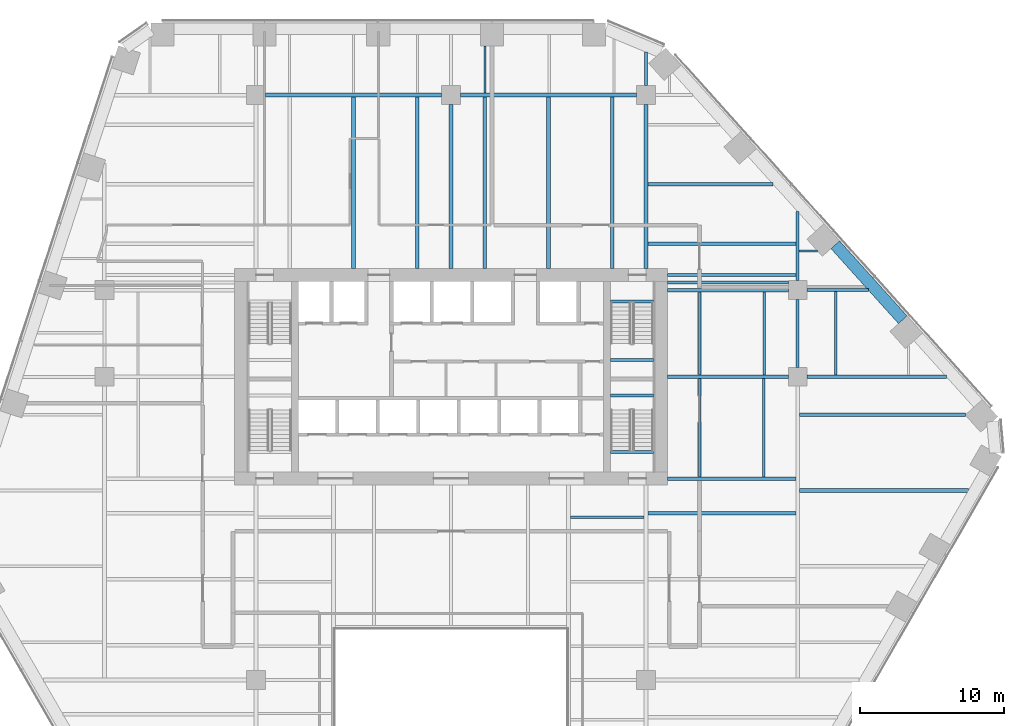
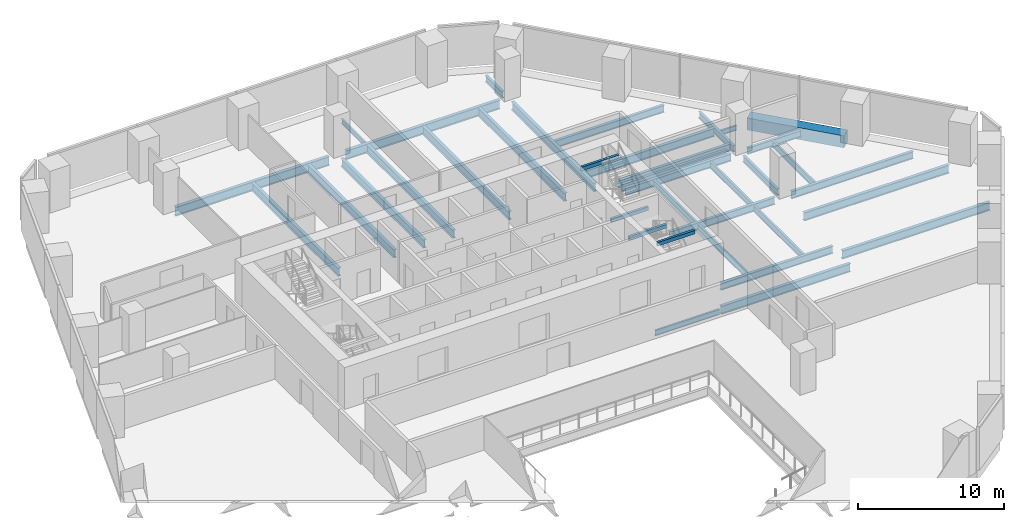
# One storey, part 9 of 19: 37 beams.
"""IFC4 building model written with IfcOpenShell, lengths in metres."""

from ifc_helpers import new_model, si_unit, direction, frame, origin, origin_2d, place, context, subcontext, project, spatial, rectangle, i_section, extrude, material, material_profile, profile_set, type_object, element, save


model = new_model("IFC4")

# Units and contexts
model_context = context("Model", 3, precision=1e-05, world=origin(), true_north=direction((0.0, 1.0)))
body_context = subcontext(model_context, "Body", "Model", "MODEL_VIEW")
ifc_project = project(units=[si_unit("LENGTHUNIT", "METRE"), si_unit("AREAUNIT", "SQUARE_METRE"), si_unit("VOLUMEUNIT", "CUBIC_METRE"), si_unit("PLANEANGLEUNIT", "RADIAN"), si_unit("MASSUNIT", "GRAM", prefix="KILO")], contexts=[model_context])

# Site, building, storey
site_placement = place(None, origin())
site = spatial("IfcSite", under=ifc_project, at=site_placement, CompositionType="ELEMENT")
building_placement = place(site_placement, origin())
building = spatial("IfcBuilding", under=site, at=building_placement, Name="Isthmus Gate Tower", CompositionType="ELEMENT")
storey_placement = place(building_placement, frame((0.0, 0.0, 95.25)))
storey = spatial("IfcBuildingStorey", under=building, at=storey_placement, Name="L22", CompositionType="ELEMENT", Elevation=95.25)

# Beams
ifc_material_1 = material(Name="Concrete f'c 70 MPa", Category="concrete")
ifc_material_profile_1 = material_profile(ifc_material_1, rectangle(XDim=0.800048828125, YDim=1.0, at=origin_2d()), Name="RC 800X1000")
ifc_profile_set_1 = profile_set([ifc_material_profile_1], Name="Concrete f'c 70 MPa")
beam_type_1 = type_object("IfcBeamType", Name="RC SPANDREL 800 X 1000", PredefinedType="SPANDREL", material=ifc_profile_set_1)
beam_1_placement = place(storey_placement, frame((26.597900390625, 16.640380859375, -0.5), z_axis=(0.669128753615, -0.743146493691, 0.0), x_axis=(0.743146493691, 0.669128753615, 0.0)))
element("IfcBeam", 1, at=beam_1_placement, inside=storey, type_object=beam_type_1, Name="str-spandrel-L22-03", PredefinedType="SPANDREL", context=body_context, shape_type="SweptSolid", body=[
    extrude(rectangle(XDim=0.800048828125, YDim=1.0, at=origin_2d()), origin(), (0.0, 0.0, 1.0), 6.9892578125),
])
ifc_material_2 = material(Name="Concrete f'c 40 MPa", Category="concrete")
ifc_material_profile_2 = material_profile(ifc_material_2, rectangle(XDim=0.199951171875, YDim=0.300048828125, at=origin_2d()), Name="STAIR LANDING BEAM RC 200 X 300")
ifc_profile_set_2 = profile_set([ifc_material_profile_2], Name="Concrete f'c 40 MPa")
beam_type_2 = type_object("IfcBeamType", Name="STAIR LANDING BEAM RC 200 X 300", PredefinedType="BEAM", material=ifc_profile_set_2)
for number, where, z_axis, x_axis, name in (
    (2, (11.050048828125, 8.64990234375, 1.47509765625), (1.0, 0.0, 0.0), (0.0, 1.0, 0.0), "L22 ST2 landing beam 1"),
    (3, (11.050048828125, 12.7001953125, 3.35009765625), (1.0, 0.0, 0.0), (0.0, 1.0, 0.0), "L22 ST2 floor-edge seat beam"),
    (4, (11.050048828125, 6.199951171875, 1.47509765625), (1.0, 0.0, 0.0), (0.0, 1.0, 0.0), "L22 ST8 landing beam 1"),
    (5, (11.050048828125, 2.2998046875, 3.35009765625), (1.0, 0.0, 0.0), (0.0, 1.0, 0.0), "L22 ST8 floor-edge seat beam"),
):
    element("IfcBeam", number, at=place(storey_placement, frame(where, z_axis=z_axis, x_axis=x_axis)), inside=storey, type_object=beam_type_2, Name=name, PredefinedType="BEAM", context=body_context, shape_type="SweptSolid", body=[
        extrude(rectangle(XDim=0.199951171875, YDim=0.300048828125, at=origin_2d()), origin(), (0.0, 0.0, 1.0), 2.949951171875),
    ])
ifc_material_3 = material(Name="Structural steel ASTM A992 Gr 50", Category="steel")
ifc_material_profile_3 = material_profile(ifc_material_3, i_section(OverallWidth=0.1396484375, OverallDepth=0.4033203125, WebThickness=0.00634765625, FlangeThickness=0.010986328125, at=origin_2d()), Name="W16X31")
ifc_profile_set_3 = profile_set([ifc_material_profile_3], Name="Structural steel ASTM A992 Gr 50")
beam_type_3 = type_object("IfcBeamType", Name="STEEL FLOOR BEAM W16X31", PredefinedType="JOIST", material=ifc_profile_set_3)
beam_2_placement = place(storey_placement, frame((2.33740234375, 27.1318359375, -0.3515625), z_axis=(0.0, 1.0, 0.0), x_axis=(-1.0, 0.0, 0.0)))
element("IfcBeam", 6, at=beam_2_placement, inside=storey, type_object=beam_type_3, Name="str-beam-L22-20-00", PredefinedType="JOIST", context=body_context, shape_type="SweptSolid", body=[
    extrude(i_section(OverallWidth=0.1396484375, OverallDepth=0.4033203125, WebThickness=0.00634765625, FlangeThickness=0.010986328125, at=origin_2d()), origin(), (0.0, 0.0, 1.0), 3.26806640625),
])
beam_3_placement = place(storey_placement, frame((24.104736328125, 16.208251953125, -0.3515625), z_axis=(1.0, 0.0, 0.0), x_axis=(0.0, 1.0, 0.0)))
element("IfcBeam", 7, at=beam_3_placement, inside=storey, type_object=beam_type_3, Name="str-beam-L22-32-00", PredefinedType="JOIST", context=body_context, shape_type="SweptSolid", body=[
    extrude(i_section(OverallWidth=0.1396484375, OverallDepth=0.4033203125, WebThickness=0.00634765625, FlangeThickness=0.010986328125, at=origin_2d()), origin(), (0.0, 0.0, 1.0), 1.267578125),
])
ifc_material_4 = material(Name="Structural steel ASTM A992 Gr 50", Category="steel")
ifc_material_profile_4 = material_profile(ifc_material_4, i_section(OverallWidth=0.15234375, OverallDepth=0.45068359375, WebThickness=0.0078125, FlangeThickness=0.010986328125, at=origin_2d()), Name="W18X35")
ifc_profile_set_4 = profile_set([ifc_material_profile_4], Name="Structural steel ASTM A992 Gr 50")
beam_type_4 = type_object("IfcBeamType", Name="STEEL FLOOR BEAM W18X35", PredefinedType="JOIST", material=ifc_profile_set_4)
beam_4_placement = place(storey_placement, frame((8.263427734375, -2.232421875, -0.37548828125), z_axis=(1.0, 0.0, 0.0), x_axis=(0.0, 1.0, 0.0)))
element("IfcBeam", 8, at=beam_4_placement, inside=storey, type_object=beam_type_4, Name="str-beam-L22-24-02", PredefinedType="JOIST", context=body_context, shape_type="SweptSolid", body=[
    extrude(i_section(OverallWidth=0.15234375, OverallDepth=0.45068359375, WebThickness=0.0078125, FlangeThickness=0.010986328125, at=origin_2d()), origin(), (0.0, 0.0, 1.0), 5.104736328125),
])
ifc_material_5 = material(Name="Structural steel ASTM A992 Gr 50", Category="steel")
ifc_material_profile_5 = material_profile(ifc_material_5, i_section(OverallWidth=0.1650390625, OverallDepth=0.52392578125, WebThickness=0.009521484375, FlangeThickness=0.010986328125, at=origin_2d()), Name="W21X44")
ifc_profile_set_5 = profile_set([ifc_material_profile_5], Name="Structural steel ASTM A992 Gr 50")
beam_type_5 = type_object("IfcBeamType", Name="STEEL FLOOR BEAM W21X44", PredefinedType="JOIST", material=ifc_profile_set_5)
for number, where, z_axis, x_axis, name in (
    (9, (17.223876953125, 7.6142578125, -0.411865234375), (0.0, 1.0, 0.0), (-1.0, 0.0, 0.0), "str-beam-L22-30-00"),
    (10, (21.67138671875, 7.6142578125, -0.411865234375), (0.0, 1.0, 0.0), (-1.0, 0.0, 0.0), "str-beam-L22-30-01"),
):
    element("IfcBeam", number, at=place(storey_placement, frame(where, z_axis=z_axis, x_axis=x_axis)), inside=storey, type_object=beam_type_5, Name=name, PredefinedType="JOIST", context=body_context, shape_type="SweptSolid", body=[
        extrude(i_section(OverallWidth=0.1650390625, OverallDepth=0.52392578125, WebThickness=0.009521484375, FlangeThickness=0.010986328125, at=origin_2d()), origin(), (0.0, 0.0, 1.0), 5.771484375),
    ])
for number, where, z_axis, x_axis, name in (
    (11, (17.216552734375, 0.564208984375, -0.411865234375), (0.0, 1.0, 0.0), (-1.0, 0.0, 0.0), "str-beam-L22-31-00"),
    (12, (21.64990234375, 0.564208984375, -0.411865234375), (0.0, 1.0, 0.0), (-1.0, 0.0, 0.0), "str-beam-L22-31-01"),
):
    element("IfcBeam", number, at=place(storey_placement, frame(where, z_axis=z_axis, x_axis=x_axis)), inside=storey, type_object=beam_type_5, Name=name, PredefinedType="JOIST", context=body_context, shape_type="SweptSolid", body=[
        extrude(i_section(OverallWidth=0.1650390625, OverallDepth=0.52392578125, WebThickness=0.009521484375, FlangeThickness=0.010986328125, at=origin_2d()), origin(), (0.0, 0.0, 1.0), 6.821533203125),
    ])
beam_5_placement = place(storey_placement, frame((26.625244140625, 7.6142578125, -0.411865234375), z_axis=(0.0, 1.0, 0.0), x_axis=(-1.0, 0.0, 0.0)))
element("IfcBeam", 13, at=beam_5_placement, inside=storey, type_object=beam_type_5, Name="str-beam-L22-33-00", PredefinedType="JOIST", context=body_context, shape_type="SweptSolid", body=[
    extrude(i_section(OverallWidth=0.1650390625, OverallDepth=0.52392578125, WebThickness=0.009521484375, FlangeThickness=0.010986328125, at=origin_2d()), origin(), (0.0, 0.0, 1.0), 5.781005859375),
])
ifc_material_6 = material(Name="Structural steel ASTM A992 Gr 50", Category="steel")
ifc_material_profile_6 = material_profile(ifc_material_6, i_section(OverallWidth=0.177734375, OverallDepth=0.60009765625, WebThickness=0.009521484375, FlangeThickness=0.0126953125, at=origin_2d()), Name="W24X55")
ifc_profile_set_6 = profile_set([ifc_material_profile_6], Name="Structural steel ASTM A992 Gr 50")
beam_type_6 = type_object("IfcBeamType", Name="STEEL FLOOR BEAM W24X55", PredefinedType="JOIST", material=ifc_profile_set_6)
beam_6_placement = place(storey_placement, frame((15.0, 14.02490234375, -0.449951171875), z_axis=(1.0, 0.0, 0.0), x_axis=(0.0, 1.0, 0.0)))
element("IfcBeam", 14, at=beam_6_placement, inside=storey, type_object=beam_type_6, Name="str-beam-L22-29-00", PredefinedType="JOIST", context=body_context, shape_type="SweptSolid", body=[
    extrude(i_section(OverallWidth=0.177734375, OverallDepth=0.60009765625, WebThickness=0.009521484375, FlangeThickness=0.0126953125, at=origin_2d()), origin(), (0.0, 0.0, 1.0), 8.35009765625),
])
ifc_material_7 = material(Name="Structural steel ASTM A992 Gr 50", Category="steel")
ifc_material_profile_7 = material_profile(ifc_material_7, i_section(OverallWidth=0.228515625, OverallDepth=0.603271484375, WebThickness=0.010986328125, FlangeThickness=0.014404296875, at=origin_2d()), Name="W24X68")
ifc_profile_set_7 = profile_set([ifc_material_profile_7], Name="Structural steel ASTM A992 Gr 50")
beam_type_7 = type_object("IfcBeamType", Name="STEEL FLOOR BEAM W24X68", PredefinedType="JOIST", material=ifc_profile_set_7)
beam_7_placement = place(storey_placement, frame((13.626953125, 20.83203125, -0.45166015625), z_axis=(1.0, 0.0, 0.0), x_axis=(0.0, 1.0, 0.0)))
element("IfcBeam", 15, at=beam_7_placement, inside=storey, type_object=beam_type_7, Name="str-beam-L22-26-01", PredefinedType="JOIST", context=body_context, shape_type="SweptSolid", body=[
    extrude(i_section(OverallWidth=0.228515625, OverallDepth=0.603271484375, WebThickness=0.010986328125, FlangeThickness=0.014404296875, at=origin_2d()), origin(), (0.0, 0.0, 1.0), 8.658447265625),
])
ifc_material_8 = material(Name="Structural steel ASTM A992 Gr 50", Category="steel")
ifc_material_profile_8 = material_profile(ifc_material_8, i_section(OverallWidth=0.25390625, OverallDepth=0.679443359375, WebThickness=0.010986328125, FlangeThickness=0.015869140625, at=origin_2d()), Name="W27X84")
ifc_profile_set_8 = profile_set([ifc_material_profile_8], Name="Structural steel ASTM A992 Gr 50")
beam_type_8 = type_object("IfcBeamType", Name="STEEL FLOOR BEAM W27X84", PredefinedType="JOIST", material=ifc_profile_set_8)
for number, where, z_axis, x_axis, name in (
    (16, (-6.75, 15.0, -0.48974609375), (0.0, 1.0, 0.0), (-1.0, 0.0, 0.0), "str-beam-L22-14-01"),
    (17, (-2.334716796875, 15.0, -0.48974609375), (0.0, 1.0, 0.0), (-1.0, 0.0, 0.0), "str-beam-L22-14-02"),
    (18, (2.334716796875, 15.0, -0.48974609375), (0.0, 1.0, 0.0), (-1.0, 0.0, 0.0), "str-beam-L22-21-00"),
    (19, (6.75, 15.0, -0.48974609375), (0.0, 1.0, 0.0), (-1.0, 0.0, 0.0), "str-beam-L22-21-01"),
    (20, (11.165283203125, 15.0, -0.48974609375), (0.0, 1.0, 0.0), (-1.0, 0.0, 0.0), "str-beam-L22-21-02"),
):
    element("IfcBeam", number, at=place(storey_placement, frame(where, z_axis=z_axis, x_axis=x_axis)), inside=storey, type_object=beam_type_8, Name=name, PredefinedType="JOIST", context=body_context, shape_type="SweptSolid", body=[
        extrude(i_section(OverallWidth=0.25390625, OverallDepth=0.679443359375, WebThickness=0.010986328125, FlangeThickness=0.015869140625, at=origin_2d()), origin(), (0.0, 0.0, 1.0), 11.8681640625),
    ])
beam_8_placement = place(storey_placement, frame((13.626953125, 16.72021484375, -0.48974609375), z_axis=(1.0, 0.0, 0.0), x_axis=(0.0, 1.0, 0.0)))
element("IfcBeam", 21, at=beam_8_placement, inside=storey, type_object=beam_type_8, Name="str-beam-L22-26-00", PredefinedType="JOIST", context=body_context, shape_type="SweptSolid", body=[
    extrude(i_section(OverallWidth=0.25390625, OverallDepth=0.679443359375, WebThickness=0.010986328125, FlangeThickness=0.015869140625, at=origin_2d()), origin(), (0.0, 0.0, 1.0), 10.268310546875),
])
beam_9_placement = place(storey_placement, frame((13.6318359375, -1.947998046875, -0.48974609375), z_axis=(1.0, 0.0, 0.0), x_axis=(0.0, 1.0, 0.0)))
element("IfcBeam", 22, at=beam_9_placement, inside=storey, type_object=beam_type_8, Name="str-beam-L22-27-02", PredefinedType="JOIST", context=body_context, shape_type="SweptSolid", body=[
    extrude(i_section(OverallWidth=0.25390625, OverallDepth=0.679443359375, WebThickness=0.010986328125, FlangeThickness=0.015869140625, at=origin_2d()), origin(), (0.0, 0.0, 1.0), 10.23486328125),
])
beam_10_placement = place(storey_placement, frame((24.13330078125, -0.375, -0.48974609375), z_axis=(1.0, 0.0, 0.0), x_axis=(0.0, 1.0, 0.0)))
element("IfcBeam", 23, at=beam_10_placement, inside=storey, type_object=beam_type_8, Name="str-beam-L22-34-02", PredefinedType="JOIST", context=body_context, shape_type="SweptSolid", body=[
    extrude(i_section(OverallWidth=0.25390625, OverallDepth=0.679443359375, WebThickness=0.010986328125, FlangeThickness=0.015869140625, at=origin_2d()), origin(), (0.0, 0.0, 1.0), 11.6767578125),
])
beam_11_placement = place(storey_placement, frame((24.13330078125, 4.875, -0.48974609375), z_axis=(1.0, 0.0, 0.0), x_axis=(0.0, 1.0, 0.0)))
element("IfcBeam", 24, at=beam_11_placement, inside=storey, type_object=beam_type_8, Name="str-beam-L22-34-03", PredefinedType="JOIST", context=body_context, shape_type="SweptSolid", body=[
    extrude(i_section(OverallWidth=0.25390625, OverallDepth=0.679443359375, WebThickness=0.010986328125, FlangeThickness=0.015869140625, at=origin_2d()), origin(), (0.0, 0.0, 1.0), 11.484130859375),
])
ifc_material_9 = material(Name="Structural steel ASTM A992 Gr 50", Category="steel")
ifc_material_profile_9 = material_profile(ifc_material_9, i_section(OverallWidth=0.20947265625, OverallDepth=0.533447265625, WebThickness=0.009521484375, FlangeThickness=0.015869140625, at=origin_2d()), Name="W21X62")
ifc_profile_set_9 = profile_set([ifc_material_profile_9], Name="Structural steel ASTM A992 Gr 50")
beam_type_9 = type_object("IfcBeamType", Name="STEEL GIRDER W21X62", PredefinedType="BEAM", material=ifc_profile_set_9)
beam_12_placement = place(storey_placement, frame((24.64990234375, 13.5, -0.416748046875), z_axis=(1.0, 0.0, 0.0), x_axis=(0.0, 1.0, 0.0)))
element("IfcBeam", 25, at=beam_12_placement, inside=storey, type_object=beam_type_9, Name="str-girder-L22-16", PredefinedType="BEAM", context=body_context, shape_type="SweptSolid", body=[
    extrude(i_section(OverallWidth=0.20947265625, OverallDepth=0.533447265625, WebThickness=0.009521484375, FlangeThickness=0.015869140625, at=origin_2d()), origin(), (0.0, 0.0, 1.0), 4.2373046875),
])
beam_13_placement = place(storey_placement, frame((13.5, 27.64990234375, -0.416748046875), z_axis=(0.0, 1.0, 0.0), x_axis=(-1.0, 0.0, 0.0)))
element("IfcBeam", 26, at=beam_13_placement, inside=storey, type_object=beam_type_9, Name="str-girder-L22-35", PredefinedType="BEAM", context=body_context, shape_type="SweptSolid", body=[
    extrude(i_section(OverallWidth=0.20947265625, OverallDepth=0.533447265625, WebThickness=0.009521484375, FlangeThickness=0.015869140625, at=origin_2d()), origin(), (0.0, 0.0, 1.0), 2.320068359375),
])
beam_14_placement = place(storey_placement, frame((24.0, 8.14990234375, -0.416748046875), z_axis=(0.0, 1.0, 0.0), x_axis=(-1.0, 0.0, 0.0)))
element("IfcBeam", 27, at=beam_14_placement, inside=storey, type_object=beam_type_9, Name="str-girder-L22-37", PredefinedType="BEAM", context=body_context, shape_type="SweptSolid", body=[
    extrude(i_section(OverallWidth=0.20947265625, OverallDepth=0.533447265625, WebThickness=0.009521484375, FlangeThickness=0.015869140625, at=origin_2d()), origin(), (0.0, 0.0, 1.0), 4.7001953125),
])
beam_15_placement = place(storey_placement, frame((24.0, 14.14990234375, -0.416748046875), z_axis=(0.0, 1.0, 0.0), x_axis=(-1.0, 0.0, 0.0)))
element("IfcBeam", 28, at=beam_15_placement, inside=storey, type_object=beam_type_9, Name="str-girder-L22-38", PredefinedType="BEAM", context=body_context, shape_type="SweptSolid", body=[
    extrude(i_section(OverallWidth=0.20947265625, OverallDepth=0.533447265625, WebThickness=0.009521484375, FlangeThickness=0.015869140625, at=origin_2d()), origin(), (0.0, 0.0, 1.0), 4.778076171875),
])
ifc_material_10 = material(Name="Structural steel ASTM A992 Gr 50", Category="steel")
ifc_material_profile_10 = material_profile(ifc_material_10, i_section(OverallWidth=0.228515625, OverallDepth=0.6064453125, WebThickness=0.010986328125, FlangeThickness=0.017578125, at=origin_2d()), Name="W24X76")
ifc_profile_set_10 = profile_set([ifc_material_profile_10], Name="Structural steel ASTM A992 Gr 50")
beam_type_10 = type_object("IfcBeamType", Name="STEEL GIRDER W24X76", PredefinedType="BEAM", material=ifc_profile_set_10)
beam_16_placement = place(storey_placement, frame((15.0, 7.5, -0.453125), z_axis=(1.0, 0.0, 0.0), x_axis=(0.0, 1.0, 0.0)))
element("IfcBeam", 29, at=beam_16_placement, inside=storey, type_object=beam_type_10, Name="str-girder-L22-11", PredefinedType="BEAM", context=body_context, shape_type="SweptSolid", body=[
    extrude(i_section(OverallWidth=0.228515625, OverallDepth=0.6064453125, WebThickness=0.010986328125, FlangeThickness=0.017578125, at=origin_2d()), origin(), (0.0, 0.0, 1.0), 8.35009765625),
])
beam_17_placement = place(storey_placement, frame((24.64990234375, 7.5, -0.453125), z_axis=(1.0, 0.0, 0.0), x_axis=(0.0, 1.0, 0.0)))
element("IfcBeam", 30, at=beam_17_placement, inside=storey, type_object=beam_type_10, Name="str-girder-L22-12", PredefinedType="BEAM", context=body_context, shape_type="SweptSolid", body=[
    extrude(i_section(OverallWidth=0.228515625, OverallDepth=0.6064453125, WebThickness=0.010986328125, FlangeThickness=0.017578125, at=origin_2d()), origin(), (0.0, 0.0, 1.0), 9.639892578125),
])
beam_18_placement = place(storey_placement, frame((15.0, 13.5, -0.453125), z_axis=(1.0, 0.0, 0.0), x_axis=(0.0, 1.0, 0.0)))
element("IfcBeam", 31, at=beam_18_placement, inside=storey, type_object=beam_type_10, Name="str-girder-L22-15", PredefinedType="BEAM", context=body_context, shape_type="SweptSolid", body=[
    extrude(i_section(OverallWidth=0.228515625, OverallDepth=0.6064453125, WebThickness=0.010986328125, FlangeThickness=0.017578125, at=origin_2d()), origin(), (0.0, 0.0, 1.0), 8.35009765625),
])
beam_19_placement = place(storey_placement, frame((15.0, 0.449951171875, -0.453125), z_axis=(1.0, 0.0, 0.0), x_axis=(0.0, 1.0, 0.0)))
element("IfcBeam", 32, at=beam_19_placement, inside=storey, type_object=beam_type_10, Name="str-girder-L22-40", PredefinedType="BEAM", context=body_context, shape_type="SweptSolid", body=[
    extrude(i_section(OverallWidth=0.228515625, OverallDepth=0.6064453125, WebThickness=0.010986328125, FlangeThickness=0.017578125, at=origin_2d()), origin(), (0.0, 0.0, 1.0), 8.86669921875),
])
beam_20_placement = place(storey_placement, frame((15.0, 14.550048828125, -0.453125), z_axis=(1.0, 0.0, 0.0), x_axis=(0.0, 1.0, 0.0)))
element("IfcBeam", 33, at=beam_20_placement, inside=storey, type_object=beam_type_10, Name="str-girder-L22-42", PredefinedType="BEAM", context=body_context, shape_type="SweptSolid", body=[
    extrude(i_section(OverallWidth=0.228515625, OverallDepth=0.6064453125, WebThickness=0.010986328125, FlangeThickness=0.017578125, at=origin_2d()), origin(), (0.0, 0.0, 1.0), 8.895263671875),
])
ifc_material_11 = material(Name="Structural steel ASTM A992 Gr 50", Category="steel")
ifc_material_profile_11 = material_profile(ifc_material_11, i_section(OverallWidth=0.25390625, OverallDepth=0.679443359375, WebThickness=0.010986328125, FlangeThickness=0.015869140625, at=origin_2d()), Name="W27X84")
ifc_profile_set_11 = profile_set([ifc_material_profile_11], Name="Structural steel ASTM A992 Gr 50")
beam_type_11 = type_object("IfcBeamType", Name="STEEL GIRDER W27X84", PredefinedType="BEAM", material=ifc_profile_set_11)
for number, where, z_axis, x_axis, name in (
    (34, (0.0, 15.0, -0.48974609375), (0.0, 1.0, 0.0), (-1.0, 0.0, 0.0), "str-girder-L22-30"),
    (35, (13.5, 15.0, -0.48974609375), (0.0, 1.0, 0.0), (-1.0, 0.0, 0.0), "str-girder-L22-34"),
):
    element("IfcBeam", number, at=place(storey_placement, frame(where, z_axis=z_axis, x_axis=x_axis)), inside=storey, type_object=beam_type_11, Name=name, PredefinedType="BEAM", context=body_context, shape_type="SweptSolid", body=[
        extrude(i_section(OverallWidth=0.25390625, OverallDepth=0.679443359375, WebThickness=0.010986328125, FlangeThickness=0.015869140625, at=origin_2d()), origin(), (0.0, 0.0, 1.0), 11.35009765625),
    ])
ifc_material_12 = material(Name="Structural steel ASTM A992 Gr 50", Category="steel")
ifc_material_profile_12 = material_profile(ifc_material_12, i_section(OverallWidth=0.263427734375, OverallDepth=0.749267578125, WebThickness=0.0126953125, FlangeThickness=0.015869140625, at=origin_2d()), Name="W30X90")
ifc_profile_set_12 = profile_set([ifc_material_profile_12], Name="Structural steel ASTM A992 Gr 50")
beam_type_12 = type_object("IfcBeamType", Name="STEEL GIRDER W30X90", PredefinedType="BEAM", material=ifc_profile_set_12)
for number, where, z_axis, x_axis, name in (
    (36, (-12.85009765625, 27.0, -0.524658203125), (1.0, 0.0, 0.0), (0.0, 1.0, 0.0), "str-girder-L22-18"),
    (37, (0.64990234375, 27.0, -0.524658203125), (1.0, 0.0, 0.0), (0.0, 1.0, 0.0), "str-girder-L22-19"),
):
    element("IfcBeam", number, at=place(storey_placement, frame(where, z_axis=z_axis, x_axis=x_axis)), inside=storey, type_object=beam_type_12, Name=name, PredefinedType="BEAM", context=body_context, shape_type="SweptSolid", body=[
        extrude(i_section(OverallWidth=0.263427734375, OverallDepth=0.749267578125, WebThickness=0.0126953125, FlangeThickness=0.015869140625, at=origin_2d()), origin(), (0.0, 0.0, 1.0), 12.2001953125),
    ])

save(model, "model.ifc")
